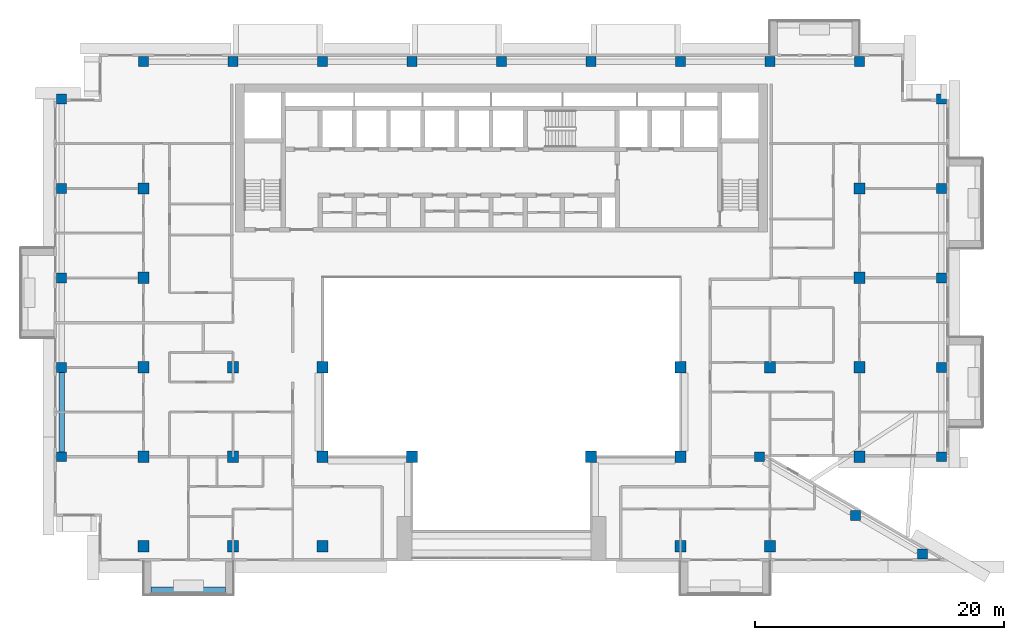
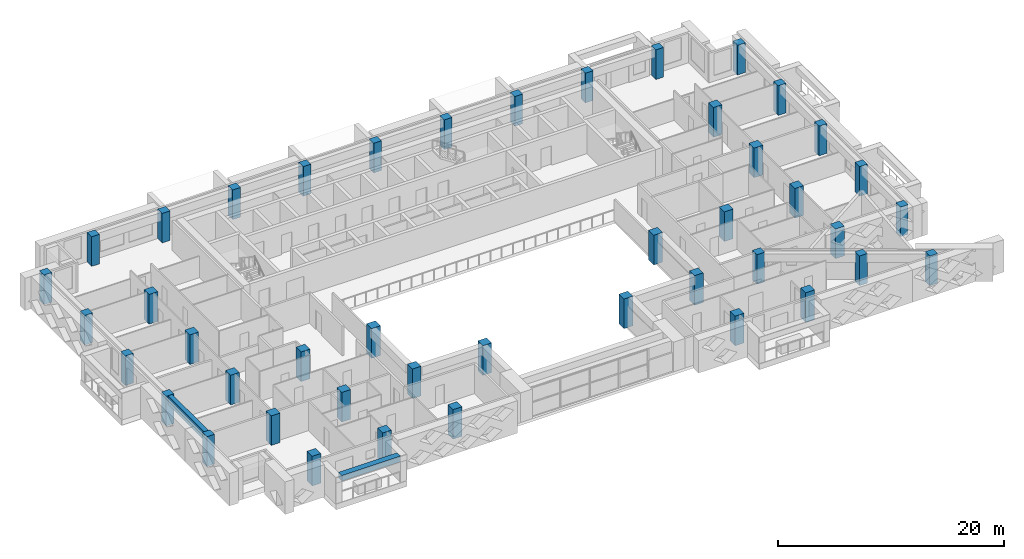
# One storey, part 1 of 20: 44 columns, 2 beams.
"""IFC4 building model written with IfcOpenShell, lengths in metres."""

from ifc_helpers import new_model, si_unit, direction, frame, origin, origin_2d, place, context, subcontext, project, spatial, rectangle, extrude, source, transform, mapped, material, material_profile, profile_set, type_object, element, save


model = new_model("IFC4")

# Units and contexts
model_context = context("Model", 3, precision=1e-05, world=origin(), true_north=direction((0.0, 1.0)))
body_context = subcontext(model_context, "Body", "Model", "MODEL_VIEW")
ifc_project = project(units=[si_unit("LENGTHUNIT", "METRE"), si_unit("AREAUNIT", "SQUARE_METRE"), si_unit("VOLUMEUNIT", "CUBIC_METRE"), si_unit("PLANEANGLEUNIT", "RADIAN"), si_unit("MASSUNIT", "GRAM", prefix="KILO")], contexts=[model_context])

# Site, building, storey
site_placement = place(None, origin())
site = spatial("IfcSite", under=ifc_project, at=site_placement, CompositionType="ELEMENT")
building_placement = place(site_placement, origin())
building = spatial("IfcBuilding", under=site, at=building_placement, Name="Saffron Iwan Residences", CompositionType="ELEMENT")
storey_placement = place(building_placement, frame((0.0, 0.0, 188.5)))
storey = spatial("IfcBuildingStorey", under=building, at=storey_placement, Name="L50", CompositionType="ELEMENT", Elevation=188.5)

# Columns
ifc_material_1 = material(Name="Concrete C50/60", Category="concrete")
ifc_material_profile_1 = material_profile(ifc_material_1, rectangle(XDim=0.89990234375, YDim=0.89990234375, at=origin_2d()), Name="RC 900x900")
ifc_profile_set_1 = profile_set([ifc_material_profile_1], Name="Concrete C50/60")
column_type_1 = type_object("IfcColumnType", Name="COL RC 900x900 C50/60 3200 HIGH", PredefinedType="COLUMN", material=ifc_profile_set_1)
shared_shape_1 = source(origin(), body_context, "Body", "SweptSolid", [
    extrude(rectangle(XDim=0.89990234375, YDim=0.89990234375, at=origin_2d()), origin(), (0.0, 0.0, 1.0), 3.199951171875),
])
for number, where, z_axis, x_axis, name in (
    (1, (21.60009765625, 40.800048828125, 0.0), (0.0, 0.0, 1.0), (1.0, 0.0, 0.0), "Column C049"),
    (2, (28.800048828125, 40.800048828125, 0.0), (0.0, 0.0, 1.0), (1.0, 0.0, 0.0), "Column C051"),
    (3, (36.0, 40.800048828125, 0.0), (0.0, 0.0, 1.0), (1.0, 0.0, 0.0), "Column C052"),
    (4, (64.800048828125, 40.800048828125, 0.0), (0.0, 0.0, 1.0), (1.0, 0.0, 0.0), "Column C055"),
    (5, (72.0, 40.800048828125, 0.0), (0.0, 0.0, 1.0), (1.0, 0.0, 0.0), "Column C056"),
    (6, (21.60009765625, 48.0, 0.0), (0.0, 0.0, 1.0), (1.0, 0.0, 0.0), "Column C063"),
    (7, (28.800048828125, 48.0, 0.0), (0.0, 0.0, 1.0), (1.0, 0.0, 0.0), "Column C064"),
    (8, (36.0, 48.0, 0.0), (0.0, 0.0, 1.0), (1.0, 0.0, 0.0), "Column C065"),
    (9, (43.199951171875, 48.0, 0.0), (0.0, 0.0, 1.0), (1.0, 0.0, 0.0), "Column C066"),
    (10, (57.60009765625, 48.0, 0.0), (0.0, 0.0, 1.0), (1.0, 0.0, 0.0), "Column C068"),
    (11, (64.800048828125, 48.0, 0.0), (0.0, 0.0, 1.0), (1.0, 0.0, 0.0), "Column C069"),
    (12, (79.199951171875, 48.0, 0.0), (0.0, 0.0, 1.0), (1.0, 0.0, 0.0), "Column C072"),
    (13, (21.60009765625, 55.199951171875, 0.0), (0.0, 0.0, 1.0), (1.0, 0.0, 0.0), "Column C079"),
    (14, (28.800048828125, 55.199951171875, 0.0), (0.0, 0.0, 1.0), (1.0, 0.0, 0.0), "Column C080"),
    (15, (36.0, 55.199951171875, 0.0), (0.0, 0.0, 1.0), (1.0, 0.0, 0.0), "Column C081"),
    (16, (64.800048828125, 55.199951171875, 0.0), (0.0, 0.0, 1.0), (1.0, 0.0, 0.0), "Column C082"),
    (17, (72.0, 55.199951171875, 0.0), (0.0, 0.0, 1.0), (1.0, 0.0, 0.0), "Column C083"),
    (18, (79.199951171875, 55.199951171875, 0.0), (0.0, 0.0, 1.0), (1.0, 0.0, 0.0), "Column C084"),
    (19, (21.60009765625, 62.39990234375, 0.0), (0.0, 0.0, 1.0), (1.0, 0.0, 0.0), "Column C091"),
    (20, (79.199951171875, 62.39990234375, 0.0), (0.0, 0.0, 1.0), (1.0, 0.0, 0.0), "Column C092"),
    (21, (21.60009765625, 69.60009765625, 0.0), (0.0, 0.0, 1.0), (1.0, 0.0, 0.0), "Column C099"),
    (22, (79.199951171875, 69.60009765625, 0.0), (0.0, 0.0, 1.0), (1.0, 0.0, 0.0), "Column C100"),
):
    element("IfcColumn", number, at=place(storey_placement, frame(where, z_axis=z_axis, x_axis=x_axis)), inside=storey, type_object=column_type_1, Name=name, PredefinedType="COLUMN", context=body_context, shape_type="MappedRepresentation", body=[
        mapped(shared_shape_1, transform((0.0, 0.0, 0.0))),
    ])
ifc_material_profile_2 = material_profile(ifc_material_1, rectangle(XDim=0.800048828125, YDim=0.800048828125, at=origin_2d()), Name="RC 800x800")
ifc_profile_set_2 = profile_set([ifc_material_profile_2], Name="Concrete C50/60")
column_type_2 = type_object("IfcColumnType", Name="COL RC 800x800 C50/60 3200 HIGH", PredefinedType="COLUMN", material=ifc_profile_set_2)
shared_shape_2 = source(origin(), body_context, "Body", "SweptSolid", [
    extrude(rectangle(XDim=0.800048828125, YDim=0.800048828125, at=origin_2d()), origin(), (0.0, 0.0, 1.0), 3.199951171875),
])
for number, where, z_axis, x_axis, name in (
    (23, (84.276123046875, 40.17431640625, 0.0), (0.0, 0.0, 1.0), (1.0, 0.0, 0.0), "Column C045"),
    (24, (78.897705078125, 43.28173828125, 0.0), (0.0, 0.0, 1.0), (1.0, 0.0, 0.0), "Column C058"),
    (25, (15.0, 48.0, 0.0), (0.0, 0.0, 1.0), (1.0, 0.0, 0.0), "Column C061"),
    (26, (71.14990234375, 48.0, 0.0), (0.0, 0.0, 1.0), (1.0, 0.0, 0.0), "Column C070"),
    (27, (85.800048828125, 48.0, 0.0), (0.0, 0.0, 1.0), (1.0, 0.0, 0.0), "Column C074"),
    (28, (15.0, 55.199951171875, 0.0), (0.0, 0.0, 1.0), (1.0, 0.0, 0.0), "Column C077"),
    (29, (85.800048828125, 55.199951171875, 0.0), (0.0, 0.0, 1.0), (1.0, 0.0, 0.0), "Column C086"),
    (30, (15.0, 62.39990234375, 0.0), (0.0, 0.0, 1.0), (1.0, 0.0, 0.0), "Column C089"),
    (31, (85.800048828125, 62.39990234375, 0.0), (0.0, 0.0, 1.0), (1.0, 0.0, 0.0), "Column C094"),
    (32, (15.0, 69.60009765625, 0.0), (0.0, 0.0, 1.0), (1.0, 0.0, 0.0), "Column C097"),
    (33, (85.800048828125, 69.60009765625, 0.0), (0.0, 0.0, 1.0), (1.0, 0.0, 0.0), "Column C102"),
    (34, (15.0, 76.800048828125, 0.0), (0.0, 0.0, 1.0), (1.0, 0.0, 0.0), "Column C105"),
    (35, (85.800048828125, 76.800048828125, 0.0), (0.0, 0.0, 1.0), (1.0, 0.0, 0.0), "Column C110"),
    (36, (21.60009765625, 79.800048828125, 0.0), (0.0, 0.0, 1.0), (1.0, 0.0, 0.0), "Column C113"),
    (37, (28.800048828125, 79.800048828125, 0.0), (0.0, 0.0, 1.0), (1.0, 0.0, 0.0), "Column C115"),
    (38, (36.0, 79.800048828125, 0.0), (0.0, 0.0, 1.0), (1.0, 0.0, 0.0), "Column C116"),
    (39, (43.199951171875, 79.800048828125, 0.0), (0.0, 0.0, 1.0), (1.0, 0.0, 0.0), "Column C117"),
    (40, (50.39990234375, 79.800048828125, 0.0), (0.0, 0.0, 1.0), (1.0, 0.0, 0.0), "Column C118"),
    (41, (57.60009765625, 79.800048828125, 0.0), (0.0, 0.0, 1.0), (1.0, 0.0, 0.0), "Column C119"),
    (42, (64.800048828125, 79.800048828125, 0.0), (0.0, 0.0, 1.0), (1.0, 0.0, 0.0), "Column C120"),
    (43, (72.0, 79.800048828125, 0.0), (0.0, 0.0, 1.0), (1.0, 0.0, 0.0), "Column C121"),
    (44, (79.199951171875, 79.800048828125, 0.0), (0.0, 0.0, 1.0), (1.0, 0.0, 0.0), "Column C123"),
):
    element("IfcColumn", number, at=place(storey_placement, frame(where, z_axis=z_axis, x_axis=x_axis)), inside=storey, type_object=column_type_2, Name=name, PredefinedType="COLUMN", context=body_context, shape_type="MappedRepresentation", body=[
        mapped(shared_shape_2, transform((0.0, 0.0, 0.0))),
    ])

# Beams
ifc_material_profile_3 = material_profile(ifc_material_1, rectangle(XDim=0.449951171875, YDim=0.89990234375, at=origin_2d()), Name="RC 450x900")
ifc_profile_set_3 = profile_set([ifc_material_profile_3], Name="Concrete C50/60")
beam_type_1 = type_object("IfcBeamType", Name="SPANDREL BEAM RC 450x900 C50/60 TOP 3200", PredefinedType="SPANDREL", material=ifc_profile_set_3)
shared_shape_3 = source(origin(), body_context, "Body", "SweptSolid", [
    extrude(rectangle(XDim=0.449951171875, YDim=0.89990234375, at=origin_2d()), origin(), (0.0, 0.0, 1.0), 6.400146484375),
])
beam_1_placement = place(storey_placement, frame((15.0, 48.39990234375, 2.75), z_axis=(0.0, 1.0, 0.0), x_axis=(-1.0, 0.0, 0.0)))
element("IfcBeam", 45, at=beam_1_placement, inside=storey, type_object=beam_type_1, Name="Spandrel beam", PredefinedType="SPANDREL", context=body_context, shape_type="MappedRepresentation", body=[
    mapped(shared_shape_3, transform((0.0, 0.0, 0.0))),
])
ifc_material_2 = material(Name="Concrete C50/60 white painted", Category="concrete")
ifc_material_profile_4 = material_profile(ifc_material_2, rectangle(XDim=0.60009765625, YDim=0.60009765625, at=origin_2d()), Name="BALCONY FASCIA BEAM 600 x 600")
ifc_profile_set_4 = profile_set([ifc_material_profile_4], Name="Concrete C50/60 white painted")
beam_type_2 = type_object("IfcBeamType", Name="BALCONY FASCIA BEAM 600 x 600", PredefinedType="BEAM", material=ifc_profile_set_4)
shared_shape_4 = source(origin(), body_context, "Body", "SweptSolid", [
    extrude(rectangle(XDim=0.60009765625, YDim=0.60009765625, at=origin_2d()), origin(), (0.0, 0.0, 1.0), 6.0),
])
beam_2_placement = place(storey_placement, frame((22.199951171875, 37.199951171875, 2.550048828125), z_axis=(1.0, 0.0, 0.0), x_axis=(0.0, 1.0, 0.0)))
element("IfcBeam", 46, at=beam_2_placement, inside=storey, type_object=beam_type_2, Name="Balcony fascia beam L50 11-0", PredefinedType="BEAM", context=body_context, shape_type="MappedRepresentation", body=[
    mapped(shared_shape_4, transform((0.0, 0.0, 0.0))),
])

save(model, "model.ifc")
